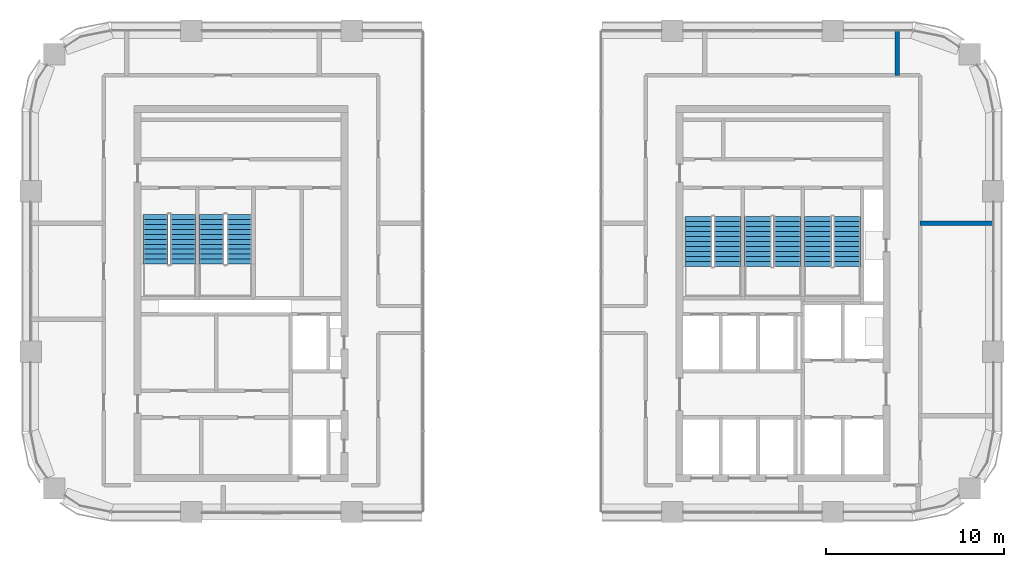
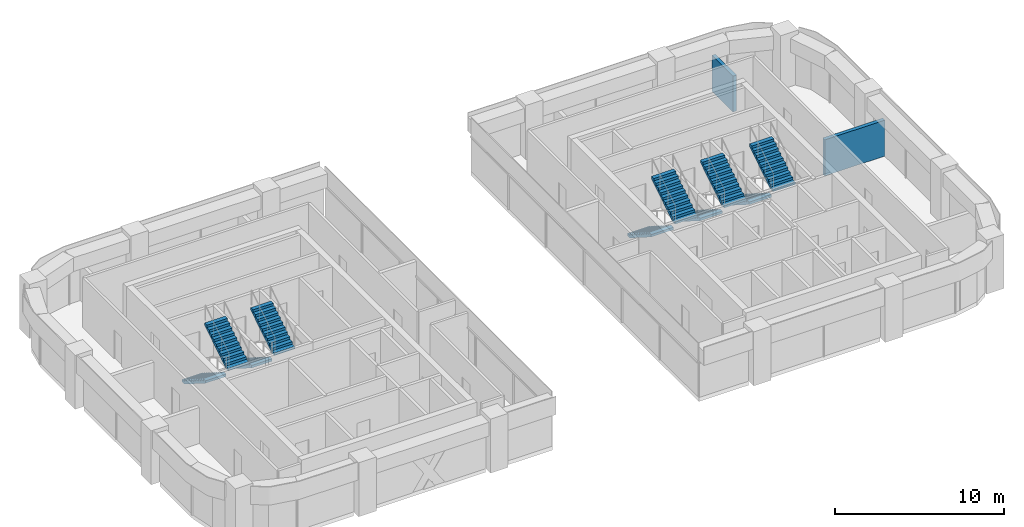
# One storey, part 9 of 12: 10 stair flights, 2 walls, 5 elements without a shape of their own.
"""IFC4 building model written with IfcOpenShell, lengths in metres."""

from ifc_helpers import new_model, si_unit, direction, frame, frame_2d, origin, place, context, subcontext, project, spatial, polyline, rectangle, outline, extrude, material, layer, layer_set, type_object, element, aggregate, save


model = new_model("IFC4")

# Units and contexts
model_context = context("Model", 3, precision=1e-05, world=origin(), true_north=direction((0.0, 1.0)))
body_context = subcontext(model_context, "Body", "Model", "MODEL_VIEW")
ifc_project = project(units=[si_unit("LENGTHUNIT", "METRE"), si_unit("AREAUNIT", "SQUARE_METRE"), si_unit("VOLUMEUNIT", "CUBIC_METRE"), si_unit("PLANEANGLEUNIT", "RADIAN"), si_unit("MASSUNIT", "GRAM", prefix="KILO")], contexts=[model_context])

# Site, building, storey
site_placement = place(None, origin())
site = spatial("IfcSite", under=ifc_project, at=site_placement, CompositionType="ELEMENT")
building_placement = place(site_placement, origin())
building = spatial("IfcBuilding", under=site, at=building_placement, Name="Tessera Arch", CompositionType="ELEMENT")
storey_placement = place(building_placement, frame((0.0, 0.0, 207.199951171875)))
storey = spatial("IfcBuildingStorey", under=building, at=storey_placement, Name="L49", CompositionType="ELEMENT", Elevation=207.199951171875)

# Walls
ifc_material_1 = material(Name="Double gypsum board on twin steel stud with acoustic mineral wool", Category="steel")
ifc_layer = layer(ifc_material_1, 0.25)
ifc_layer_set = layer_set([ifc_layer], Name="Party wall 250 EI 60")
wall_type = type_object("IfcWallType", Name="Party wall 250 EI 60", PredefinedType="PARTITIONING", material=ifc_layer_set)
wall_1_placement = place(storey_placement, frame((49.89990234375, 43.199951171875, 0.0), z_axis=(0.0, 0.0, 1.0), x_axis=(1.0, 0.0, 0.0)))
element("IfcWall", 1, at=wall_1_placement, inside=storey, type_object=wall_type, Name="L49 partition 22", PredefinedType="PARTITIONING", context=body_context, shape_type="SweptSolid", body=[
    extrude(rectangle(XDim=4.10009765625, YDim=0.25, at=frame_2d((2.050048828125, 0.0))), origin(), (0.0, 0.0, 1.0), 2.60009765625),
])
wall_2_placement = place(storey_placement, frame((48.60009765625, 51.5, 0.0), z_axis=(0.0, 0.0, 1.0), x_axis=(0.0, 1.0, 0.0)))
element("IfcWall", 2, at=wall_2_placement, inside=storey, type_object=wall_type, Name="L49 partition 28", PredefinedType="PARTITIONING", context=body_context, shape_type="SweptSolid", body=[
    extrude(rectangle(XDim=2.5, YDim=0.25, at=frame_2d((1.25, 0.0))), origin(), (0.0, 0.0, 1.0), 2.60009765625),
])

# Stair, stair flights
ifc_material_2 = material(Name="Concrete C40/50", Category="concrete")
stair_type_1 = type_object("IfcStairType", Name="Dogleg stair 1400", PredefinedType="HALF_TURN_STAIR", material=ifc_material_2)
stair_1_placement = place(storey_placement, origin())
stair_1 = element("IfcStair", 3, at=stair_1_placement, inside=storey, type_object=stair_type_1, Name="L49 S2a", PredefinedType="HALF_TURN_STAIR")
ifc_material_3 = material(Name="Concrete C40/50", Category="concrete")
stair_flight_type_1 = type_object("IfcStairFlightType", Name="Stair flight 1400", PredefinedType="STRAIGHT", material=ifc_material_3)
stair_flight_1_placement = place(storey_placement, frame((7.0, 43.699951171875, 0.0), z_axis=(0.0, 0.0, 1.0), x_axis=(0.0, -1.0, 0.0)))
stair_flight_1 = element("IfcStairFlight", 4, at=stair_flight_1_placement, type_object=stair_flight_type_1, Name="S2a flight 1", NumberOfRisers=11, NumberOfTreads=10, PredefinedType="STRAIGHT", RiserHeight=0.177272727, TreadLength=0.28, context=body_context, shape_type="SweptSolid", body=[
    extrude(outline(polyline([(0.0, 0.0), (0.0, 0.17724609375), (0.280029296875, 0.17724609375), (0.280029296875, 0.3544921875), (0.56005859375, 0.3544921875), (0.56005859375, 0.53173828125), (0.840087890625, 0.53173828125), (0.840087890625, 0.708984375), (1.1201171875, 0.708984375), (1.1201171875, 0.886474609375), (1.39990234375, 0.886474609375), (1.39990234375, 1.063720703125), (1.679931640625, 1.063720703125), (1.679931640625, 1.240966796875), (1.9599609375, 1.240966796875), (1.9599609375, 1.418212890625), (2.239990234375, 1.418212890625), (2.239990234375, 1.595458984375), (2.52001953125, 1.595458984375), (2.52001953125, 1.772705078125), (2.800048828125, 1.772705078125), (2.800048828125, 1.949951171875), (2.800048828125, 1.59521484375), (0.2802734375, 0.0), (0.0, 0.0)])), frame((0.0, 0.699951171875, 0.0), z_axis=(0.0, -1.0, 0.0), x_axis=(1.0, 0.0, 0.0)), (0.0, 0.0, 1.0), 1.39990234375),
])
stair_flight_2_placement = place(storey_placement, frame((8.550048828125, 40.89990234375, 1.949951171875), z_axis=(0.0, 0.0, 1.0), x_axis=(0.0, 1.0, 0.0)))
stair_flight_2 = element("IfcStairFlight", 5, at=stair_flight_2_placement, type_object=stair_flight_type_1, Name="S2a flight 2", NumberOfRisers=11, NumberOfTreads=10, PredefinedType="STRAIGHT", RiserHeight=0.177272727, TreadLength=0.28, context=body_context, shape_type="SweptSolid", body=[
    extrude(outline(polyline([(0.0, 0.0), (0.0, 0.17724609375), (0.280029296875, 0.17724609375), (0.280029296875, 0.3544921875), (0.56005859375, 0.3544921875), (0.56005859375, 0.53173828125), (0.840087890625, 0.53173828125), (0.840087890625, 0.708984375), (1.1201171875, 0.708984375), (1.1201171875, 0.886474609375), (1.39990234375, 0.886474609375), (1.39990234375, 1.063720703125), (1.679931640625, 1.063720703125), (1.679931640625, 1.240966796875), (1.9599609375, 1.240966796875), (1.9599609375, 1.418212890625), (2.239990234375, 1.418212890625), (2.239990234375, 1.595458984375), (2.52001953125, 1.595458984375), (2.52001953125, 1.772705078125), (2.800048828125, 1.772705078125), (2.800048828125, 1.949951171875), (2.800048828125, 1.59521484375), (0.2802734375, 0.0), (0.0, 0.0)])), frame((0.0, 0.699951171875, 0.0), z_axis=(0.0, -1.0, 0.0), x_axis=(1.0, 0.0, 0.0)), (0.0, 0.0, 1.0), 1.39990234375),
])
aggregate(stair_1, [stair_flight_1, stair_flight_2])

stair_2_placement = place(storey_placement, origin())
stair_2 = element("IfcStair", 6, at=stair_2_placement, inside=storey, type_object=stair_type_1, Name="L49 S2b", PredefinedType="HALF_TURN_STAIR")
stair_flight_3_placement = place(storey_placement, frame((10.14990234375, 43.699951171875, 0.0), z_axis=(0.0, 0.0, 1.0), x_axis=(0.0, -1.0, 0.0)))
stair_flight_3 = element("IfcStairFlight", 7, at=stair_flight_3_placement, type_object=stair_flight_type_1, Name="S2b flight 1", NumberOfRisers=11, NumberOfTreads=10, PredefinedType="STRAIGHT", RiserHeight=0.177272727, TreadLength=0.28, context=body_context, shape_type="SweptSolid", body=[
    extrude(outline(polyline([(0.0, 0.0), (0.0, 0.17724609375), (0.280029296875, 0.17724609375), (0.280029296875, 0.3544921875), (0.56005859375, 0.3544921875), (0.56005859375, 0.53173828125), (0.840087890625, 0.53173828125), (0.840087890625, 0.708984375), (1.1201171875, 0.708984375), (1.1201171875, 0.886474609375), (1.39990234375, 0.886474609375), (1.39990234375, 1.063720703125), (1.679931640625, 1.063720703125), (1.679931640625, 1.240966796875), (1.9599609375, 1.240966796875), (1.9599609375, 1.418212890625), (2.239990234375, 1.418212890625), (2.239990234375, 1.595458984375), (2.52001953125, 1.595458984375), (2.52001953125, 1.772705078125), (2.800048828125, 1.772705078125), (2.800048828125, 1.949951171875), (2.800048828125, 1.59521484375), (0.2802734375, 0.0), (0.0, 0.0)])), frame((0.0, 0.699951171875, 0.0), z_axis=(0.0, -1.0, 0.0), x_axis=(1.0, 0.0, 0.0)), (0.0, 0.0, 1.0), 1.39990234375),
])
stair_flight_4_placement = place(storey_placement, frame((11.699951171875, 40.89990234375, 1.949951171875), z_axis=(0.0, 0.0, 1.0), x_axis=(0.0, 1.0, 0.0)))
stair_flight_4 = element("IfcStairFlight", 8, at=stair_flight_4_placement, type_object=stair_flight_type_1, Name="S2b flight 2", NumberOfRisers=11, NumberOfTreads=10, PredefinedType="STRAIGHT", RiserHeight=0.177272727, TreadLength=0.28, context=body_context, shape_type="SweptSolid", body=[
    extrude(outline(polyline([(0.0, 0.0), (0.0, 0.17724609375), (0.280029296875, 0.17724609375), (0.280029296875, 0.3544921875), (0.56005859375, 0.3544921875), (0.56005859375, 0.53173828125), (0.840087890625, 0.53173828125), (0.840087890625, 0.708984375), (1.1201171875, 0.708984375), (1.1201171875, 0.886474609375), (1.39990234375, 0.886474609375), (1.39990234375, 1.063720703125), (1.679931640625, 1.063720703125), (1.679931640625, 1.240966796875), (1.9599609375, 1.240966796875), (1.9599609375, 1.418212890625), (2.239990234375, 1.418212890625), (2.239990234375, 1.595458984375), (2.52001953125, 1.595458984375), (2.52001953125, 1.772705078125), (2.800048828125, 1.772705078125), (2.800048828125, 1.949951171875), (2.800048828125, 1.59521484375), (0.2802734375, 0.0), (0.0, 0.0)])), frame((0.0, 0.699951171875, 0.0), z_axis=(0.0, -1.0, 0.0), x_axis=(1.0, 0.0, 0.0)), (0.0, 0.0, 1.0), 1.39990234375),
])
aggregate(stair_2, [stair_flight_3, stair_flight_4])

ifc_material_4 = material(Name="Concrete C40/50", Category="concrete")
stair_type_2 = type_object("IfcStairType", Name="Dogleg stair 1520", PredefinedType="HALF_TURN_STAIR", material=ifc_material_4)
stair_3_placement = place(storey_placement, origin())
stair_3 = element("IfcStair", 9, at=stair_3_placement, inside=storey, type_object=stair_type_2, Name="L49 S1a", PredefinedType="HALF_TURN_STAIR")
ifc_material_5 = material(Name="Concrete C40/50", Category="concrete")
stair_flight_type_2 = type_object("IfcStairFlightType", Name="Stair flight 1520", PredefinedType="STRAIGHT", material=ifc_material_5)
stair_flight_5_placement = place(storey_placement, frame((37.4599609375, 43.580078125, 0.0), z_axis=(0.0, 0.0, 1.0), x_axis=(0.0, -1.0, 0.0)))
stair_flight_5 = element("IfcStairFlight", 10, at=stair_flight_5_placement, type_object=stair_flight_type_2, Name="S1a flight 1", NumberOfRisers=11, NumberOfTreads=10, PredefinedType="STRAIGHT", RiserHeight=0.177272727, TreadLength=0.28, context=body_context, shape_type="SweptSolid", body=[
    extrude(outline(polyline([(0.0, 0.0), (0.0, 0.17724609375), (0.280029296875, 0.17724609375), (0.280029296875, 0.3544921875), (0.56005859375, 0.3544921875), (0.56005859375, 0.53173828125), (0.840087890625, 0.53173828125), (0.840087890625, 0.708984375), (1.1201171875, 0.708984375), (1.1201171875, 0.886474609375), (1.39990234375, 0.886474609375), (1.39990234375, 1.063720703125), (1.679931640625, 1.063720703125), (1.679931640625, 1.240966796875), (1.9599609375, 1.240966796875), (1.9599609375, 1.418212890625), (2.239990234375, 1.418212890625), (2.239990234375, 1.595458984375), (2.52001953125, 1.595458984375), (2.52001953125, 1.772705078125), (2.800048828125, 1.772705078125), (2.800048828125, 1.949951171875), (2.800048828125, 1.59521484375), (0.2802734375, 0.0), (0.0, 0.0)])), frame((0.0, 0.760009765625, 0.0), z_axis=(0.0, -1.0, 0.0), x_axis=(1.0, 0.0, 0.0)), (0.0, 0.0, 1.0), 1.52001953125),
])
stair_flight_6_placement = place(storey_placement, frame((39.090087890625, 40.780029296875, 1.949951171875), z_axis=(0.0, 0.0, 1.0), x_axis=(0.0, 1.0, 0.0)))
stair_flight_6 = element("IfcStairFlight", 11, at=stair_flight_6_placement, type_object=stair_flight_type_2, Name="S1a flight 2", NumberOfRisers=11, NumberOfTreads=10, PredefinedType="STRAIGHT", RiserHeight=0.177272727, TreadLength=0.28, context=body_context, shape_type="SweptSolid", body=[
    extrude(outline(polyline([(0.0, 0.0), (0.0, 0.17724609375), (0.280029296875, 0.17724609375), (0.280029296875, 0.3544921875), (0.56005859375, 0.3544921875), (0.56005859375, 0.53173828125), (0.840087890625, 0.53173828125), (0.840087890625, 0.708984375), (1.1201171875, 0.708984375), (1.1201171875, 0.886474609375), (1.39990234375, 0.886474609375), (1.39990234375, 1.063720703125), (1.679931640625, 1.063720703125), (1.679931640625, 1.240966796875), (1.9599609375, 1.240966796875), (1.9599609375, 1.418212890625), (2.239990234375, 1.418212890625), (2.239990234375, 1.595458984375), (2.52001953125, 1.595458984375), (2.52001953125, 1.772705078125), (2.800048828125, 1.772705078125), (2.800048828125, 1.949951171875), (2.800048828125, 1.59521484375), (0.2802734375, 0.0), (0.0, 0.0)])), frame((0.0, 0.760009765625, 0.0), z_axis=(0.0, -1.0, 0.0), x_axis=(1.0, 0.0, 0.0)), (0.0, 0.0, 1.0), 1.52001953125),
])
aggregate(stair_3, [stair_flight_5, stair_flight_6])

stair_4_placement = place(storey_placement, origin())
stair_4 = element("IfcStair", 12, at=stair_4_placement, inside=storey, type_object=stair_type_2, Name="L49 S1b", PredefinedType="HALF_TURN_STAIR")
stair_flight_7_placement = place(storey_placement, frame((40.81005859375, 43.580078125, 0.0), z_axis=(0.0, 0.0, 1.0), x_axis=(0.0, -1.0, 0.0)))
stair_flight_7 = element("IfcStairFlight", 13, at=stair_flight_7_placement, type_object=stair_flight_type_2, Name="S1b flight 1", NumberOfRisers=11, NumberOfTreads=10, PredefinedType="STRAIGHT", RiserHeight=0.177272727, TreadLength=0.28, context=body_context, shape_type="SweptSolid", body=[
    extrude(outline(polyline([(0.0, 0.0), (0.0, 0.17724609375), (0.280029296875, 0.17724609375), (0.280029296875, 0.3544921875), (0.56005859375, 0.3544921875), (0.56005859375, 0.53173828125), (0.840087890625, 0.53173828125), (0.840087890625, 0.708984375), (1.1201171875, 0.708984375), (1.1201171875, 0.886474609375), (1.39990234375, 0.886474609375), (1.39990234375, 1.063720703125), (1.679931640625, 1.063720703125), (1.679931640625, 1.240966796875), (1.9599609375, 1.240966796875), (1.9599609375, 1.418212890625), (2.239990234375, 1.418212890625), (2.239990234375, 1.595458984375), (2.52001953125, 1.595458984375), (2.52001953125, 1.772705078125), (2.800048828125, 1.772705078125), (2.800048828125, 1.949951171875), (2.800048828125, 1.59521484375), (0.2802734375, 0.0), (0.0, 0.0)])), frame((0.0, 0.760009765625, 0.0), z_axis=(0.0, -1.0, 0.0), x_axis=(1.0, 0.0, 0.0)), (0.0, 0.0, 1.0), 1.52001953125),
])
stair_flight_8_placement = place(storey_placement, frame((42.43994140625, 40.780029296875, 1.949951171875), z_axis=(0.0, 0.0, 1.0), x_axis=(0.0, 1.0, 0.0)))
stair_flight_8 = element("IfcStairFlight", 14, at=stair_flight_8_placement, type_object=stair_flight_type_2, Name="S1b flight 2", NumberOfRisers=11, NumberOfTreads=10, PredefinedType="STRAIGHT", RiserHeight=0.177272727, TreadLength=0.28, context=body_context, shape_type="SweptSolid", body=[
    extrude(outline(polyline([(0.0, 0.0), (0.0, 0.17724609375), (0.280029296875, 0.17724609375), (0.280029296875, 0.3544921875), (0.56005859375, 0.3544921875), (0.56005859375, 0.53173828125), (0.840087890625, 0.53173828125), (0.840087890625, 0.708984375), (1.1201171875, 0.708984375), (1.1201171875, 0.886474609375), (1.39990234375, 0.886474609375), (1.39990234375, 1.063720703125), (1.679931640625, 1.063720703125), (1.679931640625, 1.240966796875), (1.9599609375, 1.240966796875), (1.9599609375, 1.418212890625), (2.239990234375, 1.418212890625), (2.239990234375, 1.595458984375), (2.52001953125, 1.595458984375), (2.52001953125, 1.772705078125), (2.800048828125, 1.772705078125), (2.800048828125, 1.949951171875), (2.800048828125, 1.59521484375), (0.2802734375, 0.0), (0.0, 0.0)])), frame((0.0, 0.760009765625, 0.0), z_axis=(0.0, -1.0, 0.0), x_axis=(1.0, 0.0, 0.0)), (0.0, 0.0, 1.0), 1.52001953125),
])
aggregate(stair_4, [stair_flight_7, stair_flight_8])

stair_5_placement = place(storey_placement, origin())
stair_5 = element("IfcStair", 15, at=stair_5_placement, inside=storey, type_object=stair_type_2, Name="L49 S1c", PredefinedType="HALF_TURN_STAIR")
stair_flight_9_placement = place(storey_placement, frame((44.159912109375, 43.580078125, 0.0), z_axis=(0.0, 0.0, 1.0), x_axis=(0.0, -1.0, 0.0)))
stair_flight_9 = element("IfcStairFlight", 16, at=stair_flight_9_placement, type_object=stair_flight_type_2, Name="S1c flight 1", NumberOfRisers=11, NumberOfTreads=10, PredefinedType="STRAIGHT", RiserHeight=0.177272727, TreadLength=0.28, context=body_context, shape_type="SweptSolid", body=[
    extrude(outline(polyline([(0.0, 0.0), (0.0, 0.17724609375), (0.280029296875, 0.17724609375), (0.280029296875, 0.3544921875), (0.56005859375, 0.3544921875), (0.56005859375, 0.53173828125), (0.840087890625, 0.53173828125), (0.840087890625, 0.708984375), (1.1201171875, 0.708984375), (1.1201171875, 0.886474609375), (1.39990234375, 0.886474609375), (1.39990234375, 1.063720703125), (1.679931640625, 1.063720703125), (1.679931640625, 1.240966796875), (1.9599609375, 1.240966796875), (1.9599609375, 1.418212890625), (2.239990234375, 1.418212890625), (2.239990234375, 1.595458984375), (2.52001953125, 1.595458984375), (2.52001953125, 1.772705078125), (2.800048828125, 1.772705078125), (2.800048828125, 1.949951171875), (2.800048828125, 1.59521484375), (0.2802734375, 0.0), (0.0, 0.0)])), frame((0.0, 0.760009765625, 0.0), z_axis=(0.0, -1.0, 0.0), x_axis=(1.0, 0.0, 0.0)), (0.0, 0.0, 1.0), 1.52001953125),
])
stair_flight_10_placement = place(storey_placement, frame((45.7900390625, 40.780029296875, 1.949951171875), z_axis=(0.0, 0.0, 1.0), x_axis=(0.0, 1.0, 0.0)))
stair_flight_10 = element("IfcStairFlight", 17, at=stair_flight_10_placement, type_object=stair_flight_type_2, Name="S1c flight 2", NumberOfRisers=11, NumberOfTreads=10, PredefinedType="STRAIGHT", RiserHeight=0.177272727, TreadLength=0.28, context=body_context, shape_type="SweptSolid", body=[
    extrude(outline(polyline([(0.0, 0.0), (0.0, 0.17724609375), (0.280029296875, 0.17724609375), (0.280029296875, 0.3544921875), (0.56005859375, 0.3544921875), (0.56005859375, 0.53173828125), (0.840087890625, 0.53173828125), (0.840087890625, 0.708984375), (1.1201171875, 0.708984375), (1.1201171875, 0.886474609375), (1.39990234375, 0.886474609375), (1.39990234375, 1.063720703125), (1.679931640625, 1.063720703125), (1.679931640625, 1.240966796875), (1.9599609375, 1.240966796875), (1.9599609375, 1.418212890625), (2.239990234375, 1.418212890625), (2.239990234375, 1.595458984375), (2.52001953125, 1.595458984375), (2.52001953125, 1.772705078125), (2.800048828125, 1.772705078125), (2.800048828125, 1.949951171875), (2.800048828125, 1.59521484375), (0.2802734375, 0.0), (0.0, 0.0)])), frame((0.0, 0.760009765625, 0.0), z_axis=(0.0, -1.0, 0.0), x_axis=(1.0, 0.0, 0.0)), (0.0, 0.0, 1.0), 1.52001953125),
])
aggregate(stair_5, [stair_flight_9, stair_flight_10])

save(model, "model.ifc")
